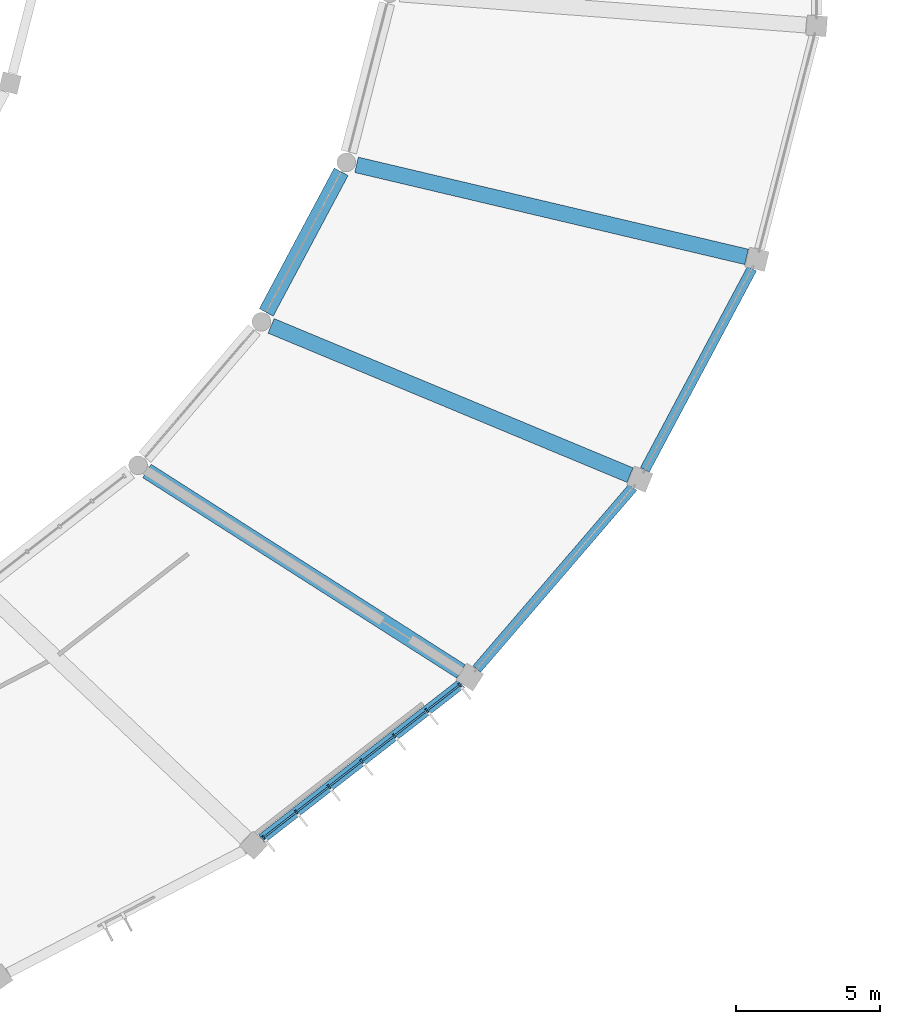
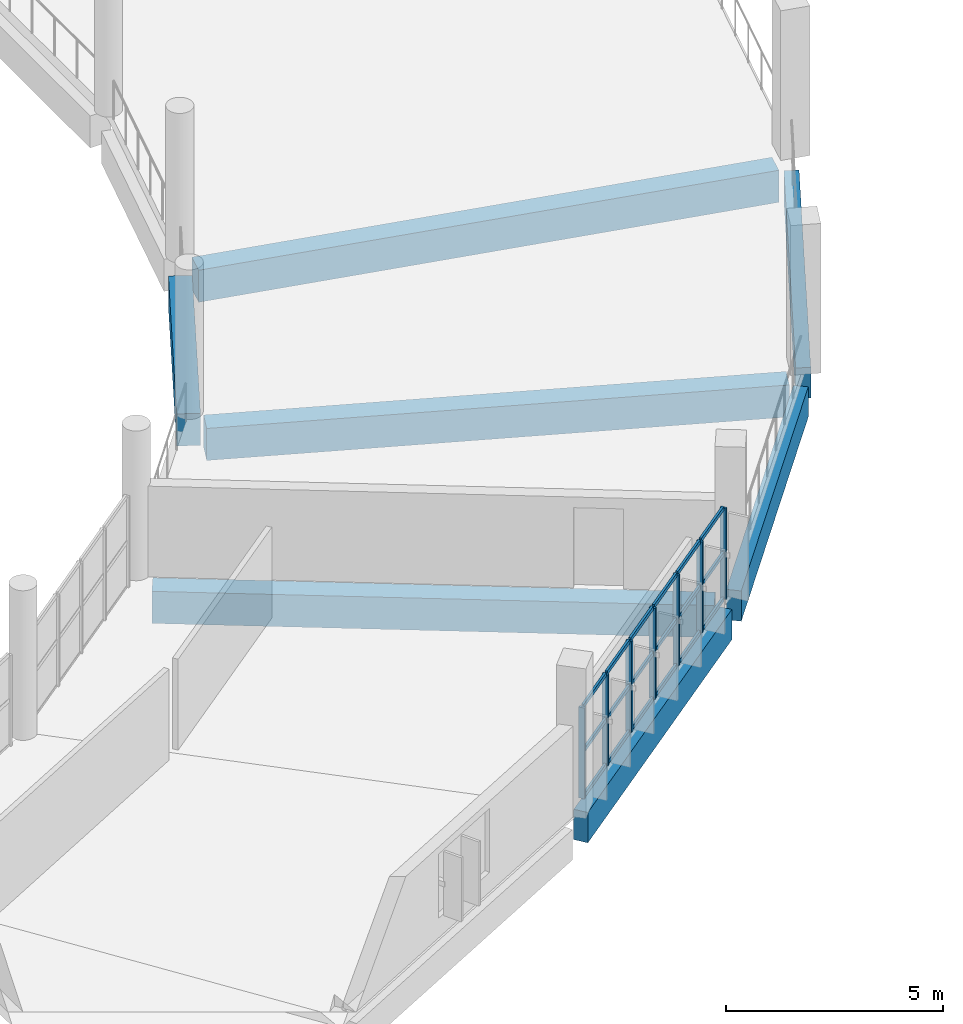
# One storey, part 47 of 142: 25 members, 7 beams, 1 element without a shape of its own.
"""IFC4 building model written with IfcOpenShell, lengths in metres."""

from ifc_helpers import new_model, si_unit, direction, frame, origin, origin_2d, place, context, subcontext, project, spatial, rectangle, extrude, material, layer, layer_set, material_profile, profile_set, type_object, element, aggregate, save


model = new_model("IFC4")

# Units and contexts
model_context = context("Model", 3, precision=1e-05, world=origin(), true_north=direction((0.0, 1.0)))
body_context = subcontext(model_context, "Body", "Model", "MODEL_VIEW")
ifc_project = project(units=[si_unit("LENGTHUNIT", "METRE"), si_unit("AREAUNIT", "SQUARE_METRE"), si_unit("VOLUMEUNIT", "CUBIC_METRE"), si_unit("PLANEANGLEUNIT", "RADIAN"), si_unit("MASSUNIT", "GRAM", prefix="KILO")], contexts=[model_context])

# Site, building, storey
site_placement = place(None, origin())
site = spatial("IfcSite", under=ifc_project, at=site_placement, CompositionType="ELEMENT")
building_placement = place(site_placement, origin())
building = spatial("IfcBuilding", under=site, at=building_placement, Name="Corvandel Quay Wholesale Market", CompositionType="ELEMENT")
storey_placement = place(building_placement, frame((0.0, 0.0, 10.800048828125)))
storey = spatial("IfcBuildingStorey", under=building, at=storey_placement, Name="L02", CompositionType="ELEMENT", Elevation=10.800048828125)

# Curtain wall, members
ifc_material_1 = material(Name="Bronze anodised aluminium and low-E insulated glazing", Category="aluminium")
ifc_layer = layer(ifc_material_1, 0.18603515625)
ifc_layer_set = layer_set([ifc_layer], Name="Bronze anodised aluminium and low-E insulated glazing")
curtain_wall_type = type_object("IfcCurtainWallType", Name="Stick Curtain Wall System CW08 H3720", PredefinedType="NOTDEFINED", material=ifc_layer_set)
curtain_wall_placement = place(storey_placement, origin())
curtain_wall = element("IfcCurtainWall", 1, at=curtain_wall_placement, inside=storey, type_object=curtain_wall_type, Name="Curtain Wall CW-0081", PredefinedType="NOTDEFINED")
ifc_material_2 = material(Name="Anodised aluminium 6063-T6", Category="aluminium")
ifc_material_profile_1 = material_profile(ifc_material_2, rectangle(XDim=0.06494140625, YDim=0.14990234375, at=origin_2d()), Name="ALU-MUL-65x150")
ifc_profile_set_1 = profile_set([ifc_material_profile_1], Name="Anodised aluminium 6063-T6")
member_type_1 = type_object("IfcMemberType", Name="Curtain Wall Mullion ML02 65x150", PredefinedType="MULLION", material=ifc_profile_set_1)
member_1_placement = place(storey_placement, frame((148.7783203125, 9.65234375, 0.0), z_axis=(0.0, 0.0, 1.0), x_axis=(0.789298462742, 0.614009720373, 0.0)))
member_1 = element("IfcMember", 2, at=member_1_placement, type_object=member_type_1, Name="Mullion CW-0081-M00", PredefinedType="MULLION", context=body_context, shape_type="SweptSolid", body=[
    extrude(rectangle(XDim=0.06494140625, YDim=0.14990234375, at=origin_2d()), origin(), (0.0, 0.0, 1.0), 2.550048828125),
])
member_2_placement = place(storey_placement, frame((149.91357421875, 10.535400390625, 0.0), z_axis=(0.0, 0.0, 1.0), x_axis=(0.789298462742, 0.614009720373, 0.0)))
member_2 = element("IfcMember", 3, at=member_2_placement, type_object=member_type_1, Name="Mullion CW-0081-M01", PredefinedType="MULLION", context=body_context, shape_type="SweptSolid", body=[
    extrude(rectangle(XDim=0.06494140625, YDim=0.14990234375, at=origin_2d()), origin(), (0.0, 0.0, 1.0), 2.550048828125),
])
member_3_placement = place(storey_placement, frame((151.048583984375, 11.41845703125, 0.0), z_axis=(0.0, 0.0, 1.0), x_axis=(0.789298462742, 0.614009720373, 0.0)))
member_3 = element("IfcMember", 4, at=member_3_placement, type_object=member_type_1, Name="Mullion CW-0081-M02", PredefinedType="MULLION", context=body_context, shape_type="SweptSolid", body=[
    extrude(rectangle(XDim=0.06494140625, YDim=0.14990234375, at=origin_2d()), origin(), (0.0, 0.0, 1.0), 2.550048828125),
])
member_4_placement = place(storey_placement, frame((152.18408203125, 12.301513671875, 0.0), z_axis=(0.0, 0.0, 1.0), x_axis=(0.789298462742, 0.614009720373, 0.0)))
member_4 = element("IfcMember", 5, at=member_4_placement, type_object=member_type_1, Name="Mullion CW-0081-M03", PredefinedType="MULLION", context=body_context, shape_type="SweptSolid", body=[
    extrude(rectangle(XDim=0.06494140625, YDim=0.14990234375, at=origin_2d()), origin(), (0.0, 0.0, 1.0), 2.550048828125),
])
member_5_placement = place(storey_placement, frame((153.3193359375, 13.1845703125, 0.0), z_axis=(0.0, 0.0, 1.0), x_axis=(0.789298462742, 0.614009720373, 0.0)))
member_5 = element("IfcMember", 6, at=member_5_placement, type_object=member_type_1, Name="Mullion CW-0081-M04", PredefinedType="MULLION", context=body_context, shape_type="SweptSolid", body=[
    extrude(rectangle(XDim=0.06494140625, YDim=0.14990234375, at=origin_2d()), origin(), (0.0, 0.0, 1.0), 2.550048828125),
])
member_6_placement = place(storey_placement, frame((154.45458984375, 14.067626953125, 0.0), z_axis=(0.0, 0.0, 1.0), x_axis=(0.789298462742, 0.614009720373, 0.0)))
member_6 = element("IfcMember", 7, at=member_6_placement, type_object=member_type_1, Name="Mullion CW-0081-M05", PredefinedType="MULLION", context=body_context, shape_type="SweptSolid", body=[
    extrude(rectangle(XDim=0.06494140625, YDim=0.14990234375, at=origin_2d()), origin(), (0.0, 0.0, 1.0), 2.550048828125),
])
member_7_placement = place(storey_placement, frame((155.58984375, 14.95068359375, 0.0), z_axis=(0.0, 0.0, 1.0), x_axis=(0.789298462742, 0.614009720373, 0.0)))
member_7 = element("IfcMember", 8, at=member_7_placement, type_object=member_type_1, Name="Mullion CW-0081-M06", PredefinedType="MULLION", context=body_context, shape_type="SweptSolid", body=[
    extrude(rectangle(XDim=0.06494140625, YDim=0.14990234375, at=origin_2d()), origin(), (0.0, 0.0, 1.0), 2.550048828125),
])
ifc_material_profile_2 = material_profile(ifc_material_2, rectangle(XDim=0.06005859375, YDim=0.110107421875, at=origin_2d()), Name="ALU-TRN-60x110")
ifc_profile_set_2 = profile_set([ifc_material_profile_2], Name="Anodised aluminium 6063-T6")
member_type_2 = type_object("IfcMemberType", Name="Curtain Wall Transom TR02 60x110", PredefinedType="USERDEFINED", material=ifc_profile_set_2)
member_8_placement = place(storey_placement, frame((148.803955078125, 9.67236328125, 0.0), z_axis=(0.789313917558, 0.613989852969, 0.0), x_axis=(-0.613989852969, 0.789313917558, 0.0)))
member_8 = element("IfcMember", 9, at=member_8_placement, type_object=member_type_2, Name="Transom CW-0081-T00-0", ObjectType="TRANSOM", PredefinedType="USERDEFINED", context=body_context, shape_type="SweptSolid", body=[
    extrude(rectangle(XDim=0.06005859375, YDim=0.110107421875, at=origin_2d()), origin(), (0.0, 0.0, 1.0), 1.373046875),
])
member_9_placement = place(storey_placement, frame((148.803955078125, 9.67236328125, 1.27490234375), z_axis=(0.789313917558, 0.613989852969, 0.0), x_axis=(-0.613989852969, 0.789313917558, 0.0)))
member_9 = element("IfcMember", 10, at=member_9_placement, type_object=member_type_2, Name="Transom CW-0081-T00-1", ObjectType="TRANSOM", PredefinedType="USERDEFINED", context=body_context, shape_type="SweptSolid", body=[
    extrude(rectangle(XDim=0.06005859375, YDim=0.110107421875, at=origin_2d()), origin(), (0.0, 0.0, 1.0), 1.373046875),
])
member_10_placement = place(storey_placement, frame((148.803955078125, 9.67236328125, 2.550048828125), z_axis=(0.789313917558, 0.613989852969, 0.0), x_axis=(-0.613989852969, 0.789313917558, 0.0)))
member_10 = element("IfcMember", 11, at=member_10_placement, type_object=member_type_2, Name="Transom CW-0081-T00-2", ObjectType="TRANSOM", PredefinedType="USERDEFINED", context=body_context, shape_type="SweptSolid", body=[
    extrude(rectangle(XDim=0.06005859375, YDim=0.110107421875, at=origin_2d()), origin(), (0.0, 0.0, 1.0), 1.373046875),
])
member_11_placement = place(storey_placement, frame((149.939208984375, 10.555419921875, 0.0), z_axis=(0.789380936193, 0.61390368754, 0.0), x_axis=(-0.61390368754, 0.789380936193, 0.0)))
member_11 = element("IfcMember", 12, at=member_11_placement, type_object=member_type_2, Name="Transom CW-0081-T01-0", ObjectType="TRANSOM", PredefinedType="USERDEFINED", context=body_context, shape_type="SweptSolid", body=[
    extrude(rectangle(XDim=0.06005859375, YDim=0.110107421875, at=origin_2d()), origin(), (0.0, 0.0, 1.0), 1.373291015625),
])
member_12_placement = place(storey_placement, frame((149.939208984375, 10.555419921875, 1.27490234375), z_axis=(0.789380936193, 0.61390368754, 0.0), x_axis=(-0.61390368754, 0.789380936193, 0.0)))
member_12 = element("IfcMember", 13, at=member_12_placement, type_object=member_type_2, Name="Transom CW-0081-T01-1", ObjectType="TRANSOM", PredefinedType="USERDEFINED", context=body_context, shape_type="SweptSolid", body=[
    extrude(rectangle(XDim=0.06005859375, YDim=0.110107421875, at=origin_2d()), origin(), (0.0, 0.0, 1.0), 1.373291015625),
])
member_13_placement = place(storey_placement, frame((149.939208984375, 10.555419921875, 2.550048828125), z_axis=(0.789380936193, 0.61390368754, 0.0), x_axis=(-0.61390368754, 0.789380936193, 0.0)))
member_13 = element("IfcMember", 14, at=member_13_placement, type_object=member_type_2, Name="Transom CW-0081-T01-2", ObjectType="TRANSOM", PredefinedType="USERDEFINED", context=body_context, shape_type="SweptSolid", body=[
    extrude(rectangle(XDim=0.06005859375, YDim=0.110107421875, at=origin_2d()), origin(), (0.0, 0.0, 1.0), 1.373291015625),
])
member_14_placement = place(storey_placement, frame((151.074462890625, 11.4384765625, 0.0), z_axis=(0.789313917558, 0.613989852969, 0.0), x_axis=(-0.613989852969, 0.789313917558, 0.0)))
member_14 = element("IfcMember", 15, at=member_14_placement, type_object=member_type_2, Name="Transom CW-0081-T02-0", ObjectType="TRANSOM", PredefinedType="USERDEFINED", context=body_context, shape_type="SweptSolid", body=[
    extrude(rectangle(XDim=0.06005859375, YDim=0.110107421875, at=origin_2d()), origin(), (0.0, 0.0, 1.0), 1.373046875),
])
member_15_placement = place(storey_placement, frame((151.074462890625, 11.4384765625, 1.27490234375), z_axis=(0.789313917558, 0.613989852969, 0.0), x_axis=(-0.613989852969, 0.789313917558, 0.0)))
member_15 = element("IfcMember", 16, at=member_15_placement, type_object=member_type_2, Name="Transom CW-0081-T02-1", ObjectType="TRANSOM", PredefinedType="USERDEFINED", context=body_context, shape_type="SweptSolid", body=[
    extrude(rectangle(XDim=0.06005859375, YDim=0.110107421875, at=origin_2d()), origin(), (0.0, 0.0, 1.0), 1.373046875),
])
member_16_placement = place(storey_placement, frame((151.074462890625, 11.4384765625, 2.550048828125), z_axis=(0.789313917558, 0.613989852969, 0.0), x_axis=(-0.613989852969, 0.789313917558, 0.0)))
member_16 = element("IfcMember", 17, at=member_16_placement, type_object=member_type_2, Name="Transom CW-0081-T02-2", ObjectType="TRANSOM", PredefinedType="USERDEFINED", context=body_context, shape_type="SweptSolid", body=[
    extrude(rectangle(XDim=0.06005859375, YDim=0.110107421875, at=origin_2d()), origin(), (0.0, 0.0, 1.0), 1.373046875),
])
member_17_placement = place(storey_placement, frame((152.209716796875, 12.321533203125, 0.0), z_axis=(0.789380936193, 0.61390368754, 0.0), x_axis=(-0.61390368754, 0.789380936193, 0.0)))
member_17 = element("IfcMember", 18, at=member_17_placement, type_object=member_type_2, Name="Transom CW-0081-T03-0", ObjectType="TRANSOM", PredefinedType="USERDEFINED", context=body_context, shape_type="SweptSolid", body=[
    extrude(rectangle(XDim=0.06005859375, YDim=0.110107421875, at=origin_2d()), origin(), (0.0, 0.0, 1.0), 1.373291015625),
])
member_18_placement = place(storey_placement, frame((152.209716796875, 12.321533203125, 1.27490234375), z_axis=(0.789380936193, 0.61390368754, 0.0), x_axis=(-0.61390368754, 0.789380936193, 0.0)))
member_18 = element("IfcMember", 19, at=member_18_placement, type_object=member_type_2, Name="Transom CW-0081-T03-1", ObjectType="TRANSOM", PredefinedType="USERDEFINED", context=body_context, shape_type="SweptSolid", body=[
    extrude(rectangle(XDim=0.06005859375, YDim=0.110107421875, at=origin_2d()), origin(), (0.0, 0.0, 1.0), 1.373291015625),
])
member_19_placement = place(storey_placement, frame((152.209716796875, 12.321533203125, 2.550048828125), z_axis=(0.789380936193, 0.61390368754, 0.0), x_axis=(-0.61390368754, 0.789380936193, 0.0)))
member_19 = element("IfcMember", 20, at=member_19_placement, type_object=member_type_2, Name="Transom CW-0081-T03-2", ObjectType="TRANSOM", PredefinedType="USERDEFINED", context=body_context, shape_type="SweptSolid", body=[
    extrude(rectangle(XDim=0.06005859375, YDim=0.110107421875, at=origin_2d()), origin(), (0.0, 0.0, 1.0), 1.373291015625),
])
member_20_placement = place(storey_placement, frame((153.344970703125, 13.20458984375, 0.0), z_axis=(0.789380936193, 0.61390368754, 0.0), x_axis=(-0.61390368754, 0.789380936193, 0.0)))
member_20 = element("IfcMember", 21, at=member_20_placement, type_object=member_type_2, Name="Transom CW-0081-T04-0", ObjectType="TRANSOM", PredefinedType="USERDEFINED", context=body_context, shape_type="SweptSolid", body=[
    extrude(rectangle(XDim=0.06005859375, YDim=0.110107421875, at=origin_2d()), origin(), (0.0, 0.0, 1.0), 1.373291015625),
])
member_21_placement = place(storey_placement, frame((153.344970703125, 13.20458984375, 1.27490234375), z_axis=(0.789380936193, 0.61390368754, 0.0), x_axis=(-0.61390368754, 0.789380936193, 0.0)))
member_21 = element("IfcMember", 22, at=member_21_placement, type_object=member_type_2, Name="Transom CW-0081-T04-1", ObjectType="TRANSOM", PredefinedType="USERDEFINED", context=body_context, shape_type="SweptSolid", body=[
    extrude(rectangle(XDim=0.06005859375, YDim=0.110107421875, at=origin_2d()), origin(), (0.0, 0.0, 1.0), 1.373291015625),
])
member_22_placement = place(storey_placement, frame((153.344970703125, 13.20458984375, 2.550048828125), z_axis=(0.789380936193, 0.61390368754, 0.0), x_axis=(-0.61390368754, 0.789380936193, 0.0)))
member_22 = element("IfcMember", 23, at=member_22_placement, type_object=member_type_2, Name="Transom CW-0081-T04-2", ObjectType="TRANSOM", PredefinedType="USERDEFINED", context=body_context, shape_type="SweptSolid", body=[
    extrude(rectangle(XDim=0.06005859375, YDim=0.110107421875, at=origin_2d()), origin(), (0.0, 0.0, 1.0), 1.373291015625),
])
member_23_placement = place(storey_placement, frame((154.480224609375, 14.087646484375, 0.0), z_axis=(0.789380936193, 0.61390368754, 0.0), x_axis=(-0.61390368754, 0.789380936193, 0.0)))
member_23 = element("IfcMember", 24, at=member_23_placement, type_object=member_type_2, Name="Transom CW-0081-T05-0", ObjectType="TRANSOM", PredefinedType="USERDEFINED", context=body_context, shape_type="SweptSolid", body=[
    extrude(rectangle(XDim=0.06005859375, YDim=0.110107421875, at=origin_2d()), origin(), (0.0, 0.0, 1.0), 1.373291015625),
])
member_24_placement = place(storey_placement, frame((154.480224609375, 14.087646484375, 1.27490234375), z_axis=(0.789380936193, 0.61390368754, 0.0), x_axis=(-0.61390368754, 0.789380936193, 0.0)))
member_24 = element("IfcMember", 25, at=member_24_placement, type_object=member_type_2, Name="Transom CW-0081-T05-1", ObjectType="TRANSOM", PredefinedType="USERDEFINED", context=body_context, shape_type="SweptSolid", body=[
    extrude(rectangle(XDim=0.06005859375, YDim=0.110107421875, at=origin_2d()), origin(), (0.0, 0.0, 1.0), 1.373291015625),
])
member_25_placement = place(storey_placement, frame((154.480224609375, 14.087646484375, 2.550048828125), z_axis=(0.789380936193, 0.61390368754, 0.0), x_axis=(-0.61390368754, 0.789380936193, 0.0)))
member_25 = element("IfcMember", 26, at=member_25_placement, type_object=member_type_2, Name="Transom CW-0081-T05-2", ObjectType="TRANSOM", PredefinedType="USERDEFINED", context=body_context, shape_type="SweptSolid", body=[
    extrude(rectangle(XDim=0.06005859375, YDim=0.110107421875, at=origin_2d()), origin(), (0.0, 0.0, 1.0), 1.373291015625),
])
aggregate(curtain_wall, [member_1, member_2, member_3, member_4, member_5, member_6, member_7, member_8, member_9, member_10, member_11, member_12, member_13, member_14, member_15, member_16, member_17, member_18, member_19, member_20, member_21, member_22, member_23, member_24, member_25])

# Beams
ifc_material_3 = material(Name="Precast concrete C45/55", Category="concrete")
ifc_material_profile_3 = material_profile(ifc_material_3, rectangle(XDim=0.35009765625, YDim=0.85009765625, at=origin_2d()), Name="PC-SPN-350x850")
ifc_profile_set_3 = profile_set([ifc_material_profile_3], Name="Precast concrete C45/55")
beam_type_1 = type_object("IfcBeamType", Name="Perimeter Precast Spandrel SP01 350x850", PredefinedType="SPANDREL", material=ifc_profile_set_3)
beam_1_placement = place(storey_placement, frame((148.715087890625, 9.603271484375, -0.7451171875), z_axis=(0.789337260855, 0.613959842844, 0.0), x_axis=(-0.613959842844, 0.789337260855, 0.0)))
element("IfcBeam", 27, at=beam_1_placement, inside=storey, type_object=beam_type_1, Name="Beam BM-0339", PredefinedType="SPANDREL", context=body_context, shape_type="SweptSolid", body=[
    extrude(rectangle(XDim=0.35009765625, YDim=0.85009765625, at=origin_2d()), origin(), (0.0, 0.0, 1.0), 8.78955078125),
])
beam_2_placement = place(storey_placement, frame((156.18603515625, 15.5078125, -0.7451171875), z_axis=(0.651611810623, 0.75855260085, 0.0), x_axis=(-0.75855260085, 0.651611810623, 0.0)))
element("IfcBeam", 28, at=beam_2_placement, inside=storey, type_object=beam_type_1, Name="Beam BM-0351", PredefinedType="SPANDREL", context=body_context, shape_type="SweptSolid", body=[
    extrude(rectangle(XDim=0.35009765625, YDim=0.85009765625, at=origin_2d()), origin(), (0.0, 0.0, 1.0), 8.328125),
])
beam_3_placement = place(storey_placement, frame((162.02783203125, 22.4326171875, -0.7451171875), z_axis=(0.470148166792, 0.882587503459, 0.0), x_axis=(-0.882587503459, 0.470148166792, 0.0)))
element("IfcBeam", 29, at=beam_3_placement, inside=storey, type_object=beam_type_1, Name="Beam BM-0363", PredefinedType="SPANDREL", context=body_context, shape_type="SweptSolid", body=[
    extrude(rectangle(XDim=0.35009765625, YDim=0.85009765625, at=origin_2d()), origin(), (0.0, 0.0, 1.0), 7.919677734375),
])
ifc_material_profile_4 = material_profile(ifc_material_3, rectangle(XDim=0.550048828125, YDim=0.89990234375, at=origin_2d()), Name="PC-GIR-550x900")
ifc_profile_set_4 = profile_set([ifc_material_profile_4], Name="Precast concrete C45/55")
beam_type_2 = type_object("IfcBeamType", Name="Produce Hall Radial Girder G03 550x900", PredefinedType="USERDEFINED", material=ifc_profile_set_4)
beam_4_placement = place(storey_placement, frame((155.633056640625, 15.426025390625, -0.77001953125), z_axis=(-0.842946232695, 0.537997814852, 0.0), x_axis=(-0.537997814852, -0.842946232695, 0.0)))
element("IfcBeam", 30, at=beam_4_placement, inside=storey, type_object=beam_type_2, Name="Beam BM-0354", ObjectType="GIRDER", PredefinedType="USERDEFINED", context=body_context, shape_type="SweptSolid", body=[
    extrude(rectangle(XDim=0.550048828125, YDim=0.89990234375, at=origin_2d()), origin(), (0.0, 0.0, 1.0), 12.944091796875),
])
beam_5_placement = place(storey_placement, frame((148.867919921875, 27.903564453125, -0.77001953125), z_axis=(0.470077899921, 0.882624930537, 0.0), x_axis=(-0.882624930537, 0.470077899921, 0.0)))
element("IfcBeam", 31, at=beam_5_placement, inside=storey, type_object=beam_type_2, Name="Beam BM-0364", ObjectType="GIRDER", PredefinedType="USERDEFINED", context=body_context, shape_type="SweptSolid", body=[
    extrude(rectangle(XDim=0.550048828125, YDim=0.89990234375, at=origin_2d()), origin(), (0.0, 0.0, 1.0), 5.537841796875),
])
beam_6_placement = place(storey_placement, frame((161.51220703125, 22.248046875, -0.77001953125), z_axis=(-0.923380274271, 0.383886531527, 0.0), x_axis=(-0.383886531527, -0.923380274271, 0.0)))
element("IfcBeam", 32, at=beam_6_placement, inside=storey, type_object=beam_type_2, Name="Beam BM-0366", ObjectType="GIRDER", PredefinedType="USERDEFINED", context=body_context, shape_type="SweptSolid", body=[
    extrude(rectangle(XDim=0.550048828125, YDim=0.89990234375, at=origin_2d()), origin(), (0.0, 0.0, 1.0), 13.51171875),
])
beam_7_placement = place(storey_placement, frame((165.56494140625, 29.833984375, -0.77001953125), z_axis=(-0.973282095962, 0.229612633971, 0.0), x_axis=(-0.229612633971, -0.973282095962, 0.0)))
element("IfcBeam", 33, at=beam_7_placement, inside=storey, type_object=beam_type_2, Name="Beam BM-0378", ObjectType="GIRDER", PredefinedType="USERDEFINED", context=body_context, shape_type="SweptSolid", body=[
    extrude(rectangle(XDim=0.550048828125, YDim=0.89990234375, at=origin_2d()), origin(), (0.0, 0.0, 1.0), 13.93212890625),
])

save(model, "model.ifc")
